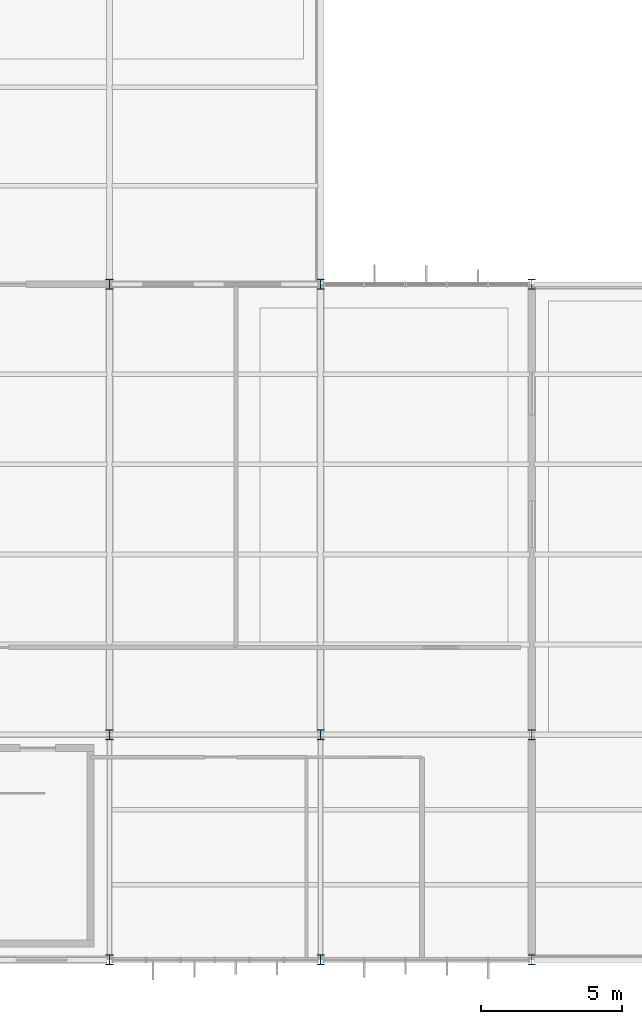
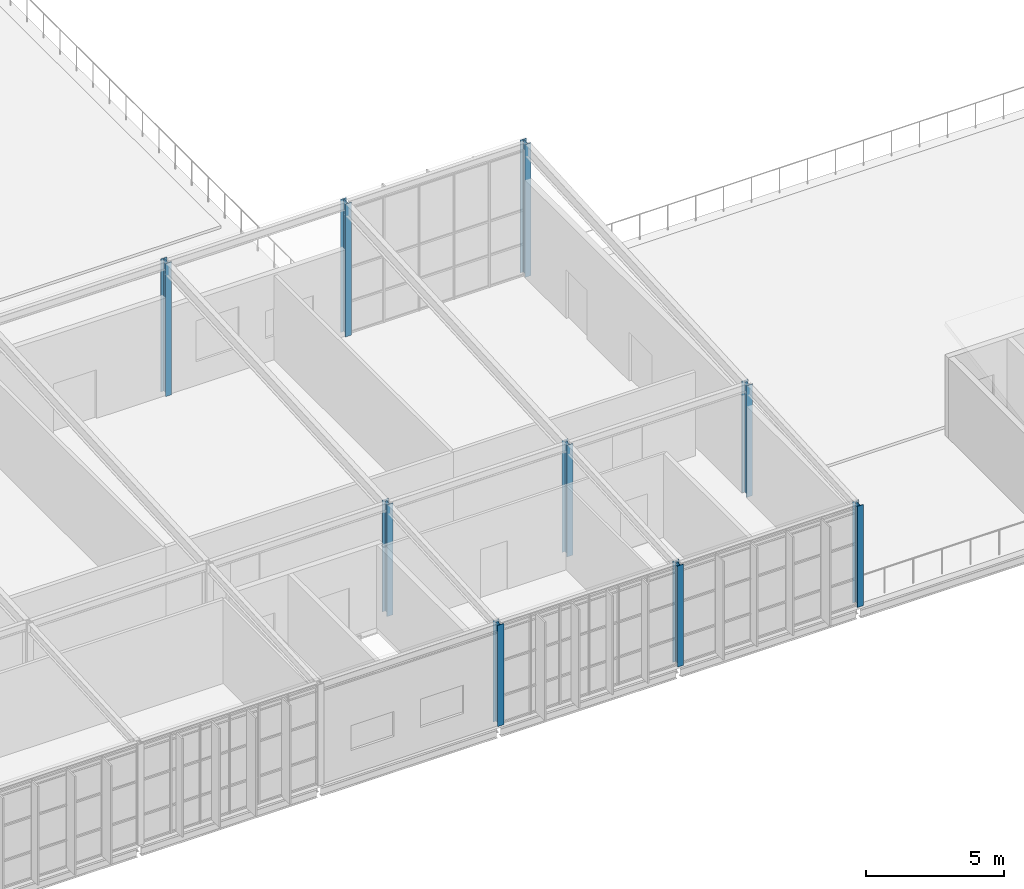
# One storey, part 2 of 104: 9 columns.
"""IFC4 building model written with IfcOpenShell, lengths in metres."""

from ifc_helpers import new_model, si_unit, direction, frame, origin, origin_2d, place, context, subcontext, project, spatial, i_section, extrude, material, material_profile, profile_set, type_object, element, save


model = new_model("IFC4")

# Units and contexts
model_context = context("Model", 3, precision=1e-05, world=origin(), true_north=direction((0.0, 1.0)))
body_context = subcontext(model_context, "Body", "Model", "MODEL_VIEW")
ifc_project = project(units=[si_unit("LENGTHUNIT", "METRE"), si_unit("AREAUNIT", "SQUARE_METRE"), si_unit("VOLUMEUNIT", "CUBIC_METRE"), si_unit("PLANEANGLEUNIT", "RADIAN"), si_unit("MASSUNIT", "GRAM", prefix="KILO")], contexts=[model_context])

# Site, building, storey
site_placement = place(None, origin())
site = spatial("IfcSite", under=ifc_project, at=site_placement, CompositionType="ELEMENT")
building_placement = place(site_placement, origin())
building = spatial("IfcBuilding", under=site, at=building_placement, Name="Solvenia Promenade Tram Depot", CompositionType="ELEMENT")
storey_placement = place(building_placement, frame((0.0, 0.0, 9.0)))
storey = spatial("IfcBuildingStorey", under=building, at=storey_placement, Name="L02", CompositionType="ELEMENT", Elevation=9.0)

# Columns
ifc_material = material(Name="Structural steel ASTM A992 Gr. 50", Category="steel")
ifc_material_profile = material_profile(ifc_material, i_section(OverallWidth=0.2548828125, OverallDepth=0.35693359375, WebThickness=0.010498046875, FlangeThickness=0.018310546875, FilletRadius=0.014892578125, at=origin_2d()), Name="W360x101", Category="steel")
ifc_profile_set = profile_set([ifc_material_profile], Name="Structural steel ASTM A992 Gr. 50")
column_type = type_object("IfcColumnType", Name="Col-W360x101", PredefinedType="COLUMN", material=ifc_profile_set)
column_1_placement = place(storey_placement, frame((37.5, 0.0, 0.0), z_axis=(0.0, 0.0, 1.0), x_axis=(1.0, 0.0, 0.0)))
element("IfcColumn", 1, at=column_1_placement, inside=storey, type_object=column_type, Name="Steel Column COL-L02-090", PredefinedType="COLUMN", context=body_context, shape_type="SweptSolid", body=[
    extrude(i_section(OverallWidth=0.2548828125, OverallDepth=0.35693359375, WebThickness=0.010498046875, FlangeThickness=0.018310546875, FilletRadius=0.014892578125, at=origin_2d()), origin(), (0.0, 0.0, 1.0), 4.4599609375),
])
column_2_placement = place(storey_placement, frame((37.5, 8.0, 0.0), z_axis=(0.0, 0.0, 1.0), x_axis=(1.0, 0.0, 0.0)))
element("IfcColumn", 2, at=column_2_placement, inside=storey, type_object=column_type, Name="Steel Column COL-L02-093", PredefinedType="COLUMN", context=body_context, shape_type="SweptSolid", body=[
    extrude(i_section(OverallWidth=0.2548828125, OverallDepth=0.35693359375, WebThickness=0.010498046875, FlangeThickness=0.018310546875, FilletRadius=0.014892578125, at=origin_2d()), origin(), (0.0, 0.0, 1.0), 4.9267578125),
])
column_3_placement = place(storey_placement, frame((37.5, 24.0, 0.0), z_axis=(0.0, 0.0, 1.0), x_axis=(1.0, 0.0, 0.0)))
element("IfcColumn", 3, at=column_3_placement, inside=storey, type_object=column_type, Name="Steel Column COL-L02-096", PredefinedType="COLUMN", context=body_context, shape_type="SweptSolid", body=[
    extrude(i_section(OverallWidth=0.2548828125, OverallDepth=0.35693359375, WebThickness=0.010498046875, FlangeThickness=0.018310546875, FilletRadius=0.014892578125, at=origin_2d()), origin(), (0.0, 0.0, 1.0), 5.860107421875),
])
column_4_placement = place(storey_placement, frame((45.0, 0.0, 0.0), z_axis=(0.0, 0.0, 1.0), x_axis=(1.0, 0.0, 0.0)))
element("IfcColumn", 4, at=column_4_placement, inside=storey, type_object=column_type, Name="Steel Column COL-L02-108", PredefinedType="COLUMN", context=body_context, shape_type="SweptSolid", body=[
    extrude(i_section(OverallWidth=0.2548828125, OverallDepth=0.35693359375, WebThickness=0.010498046875, FlangeThickness=0.018310546875, FilletRadius=0.014892578125, at=origin_2d()), origin(), (0.0, 0.0, 1.0), 4.4599609375),
])
column_5_placement = place(storey_placement, frame((45.0, 8.0, 0.0), z_axis=(0.0, 0.0, 1.0), x_axis=(1.0, 0.0, 0.0)))
element("IfcColumn", 5, at=column_5_placement, inside=storey, type_object=column_type, Name="Steel Column COL-L02-111", PredefinedType="COLUMN", context=body_context, shape_type="SweptSolid", body=[
    extrude(i_section(OverallWidth=0.2548828125, OverallDepth=0.35693359375, WebThickness=0.010498046875, FlangeThickness=0.018310546875, FilletRadius=0.014892578125, at=origin_2d()), origin(), (0.0, 0.0, 1.0), 4.9267578125),
])
column_6_placement = place(storey_placement, frame((45.0, 24.0, 0.0), z_axis=(0.0, 0.0, 1.0), x_axis=(1.0, 0.0, 0.0)))
element("IfcColumn", 6, at=column_6_placement, inside=storey, type_object=column_type, Name="Steel Column COL-L02-114", PredefinedType="COLUMN", context=body_context, shape_type="SweptSolid", body=[
    extrude(i_section(OverallWidth=0.2548828125, OverallDepth=0.35693359375, WebThickness=0.010498046875, FlangeThickness=0.018310546875, FilletRadius=0.014892578125, at=origin_2d()), origin(), (0.0, 0.0, 1.0), 5.860107421875),
])
column_7_placement = place(storey_placement, frame((52.5, 0.0, 0.0), z_axis=(0.0, 0.0, 1.0), x_axis=(1.0, 0.0, 0.0)))
element("IfcColumn", 7, at=column_7_placement, inside=storey, type_object=column_type, Name="Steel Column COL-L02-126", PredefinedType="COLUMN", context=body_context, shape_type="SweptSolid", body=[
    extrude(i_section(OverallWidth=0.2548828125, OverallDepth=0.35693359375, WebThickness=0.010498046875, FlangeThickness=0.018310546875, FilletRadius=0.014892578125, at=origin_2d()), origin(), (0.0, 0.0, 1.0), 4.4599609375),
])
column_8_placement = place(storey_placement, frame((52.5, 8.0, 0.0), z_axis=(0.0, 0.0, 1.0), x_axis=(1.0, 0.0, 0.0)))
element("IfcColumn", 8, at=column_8_placement, inside=storey, type_object=column_type, Name="Steel Column COL-L02-129", PredefinedType="COLUMN", context=body_context, shape_type="SweptSolid", body=[
    extrude(i_section(OverallWidth=0.2548828125, OverallDepth=0.35693359375, WebThickness=0.010498046875, FlangeThickness=0.018310546875, FilletRadius=0.014892578125, at=origin_2d()), origin(), (0.0, 0.0, 1.0), 4.9267578125),
])
column_9_placement = place(storey_placement, frame((52.5, 24.0, 0.0), z_axis=(0.0, 0.0, 1.0), x_axis=(1.0, 0.0, 0.0)))
element("IfcColumn", 9, at=column_9_placement, inside=storey, type_object=column_type, Name="Steel Column COL-L02-132", PredefinedType="COLUMN", context=body_context, shape_type="SweptSolid", body=[
    extrude(i_section(OverallWidth=0.2548828125, OverallDepth=0.35693359375, WebThickness=0.010498046875, FlangeThickness=0.018310546875, FilletRadius=0.014892578125, at=origin_2d()), origin(), (0.0, 0.0, 1.0), 5.860107421875),
])

save(model, "model.ifc")
